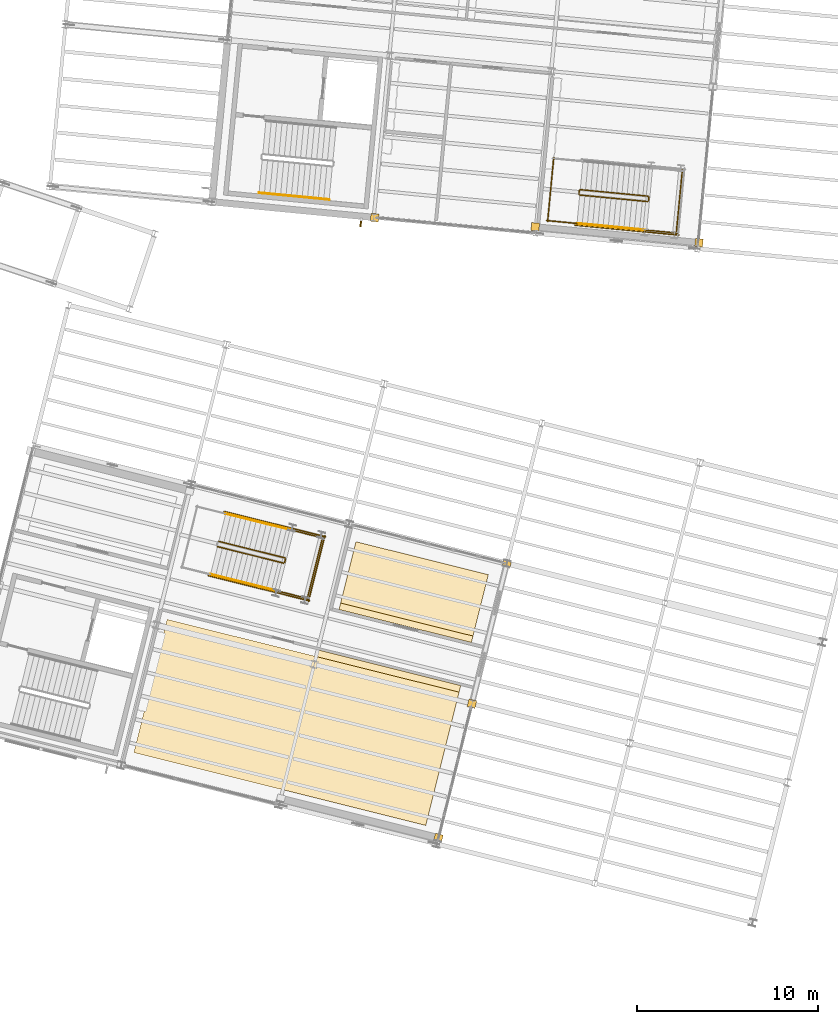
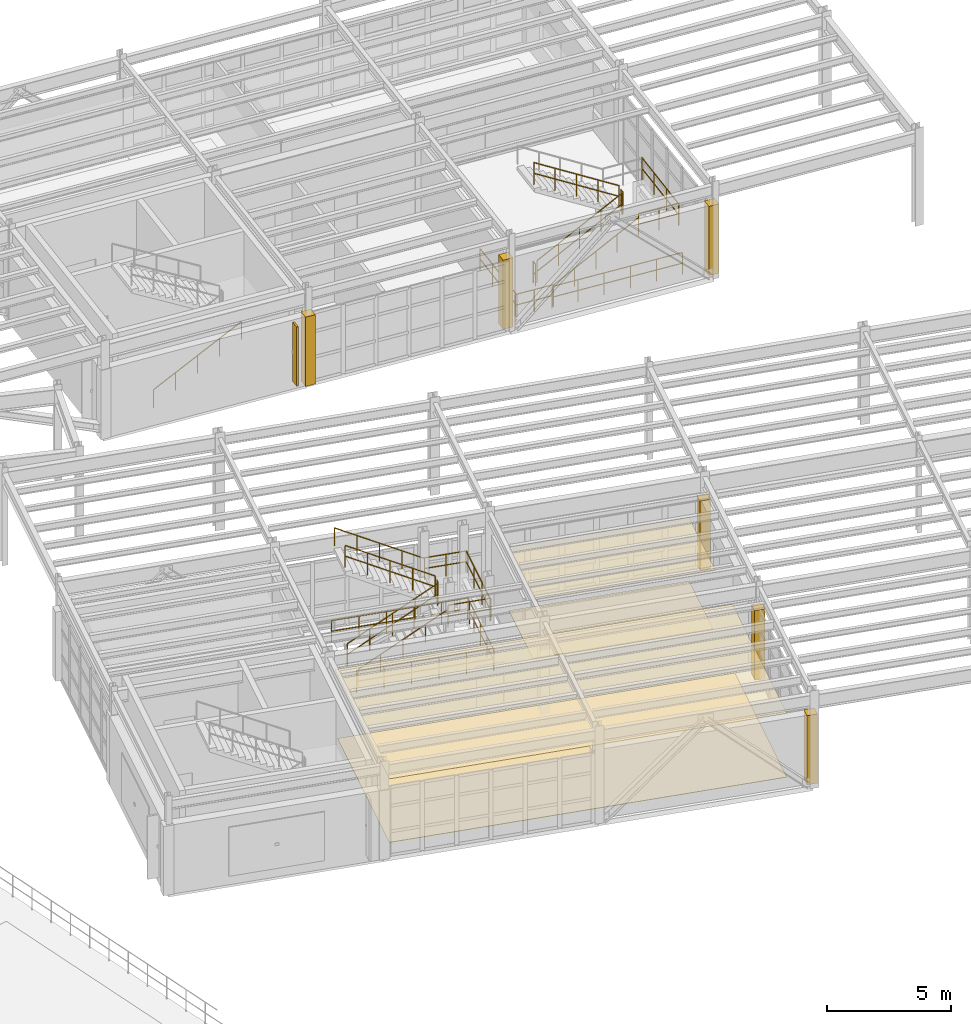
# One storey, part 104 of 109: 22 railings, 10 coverings, 1 shading device.
"""IFC4 building model written with IfcOpenShell, lengths in metres."""

from ifc_helpers import new_model, si_unit, direction, frame, origin, origin_2d, place, context, subcontext, project, spatial, polyline, rectangle, circle, outline, extrude, material, layer, layer_set, type_object, element, save


model = new_model("IFC4")

# Units and contexts
model_context = context("Model", 3, precision=1e-05, world=origin(), true_north=direction((0.0, 1.0)))
body_context = subcontext(model_context, "Body", "Model", "MODEL_VIEW")
ifc_project = project(units=[si_unit("LENGTHUNIT", "METRE"), si_unit("AREAUNIT", "SQUARE_METRE"), si_unit("VOLUMEUNIT", "CUBIC_METRE"), si_unit("PLANEANGLEUNIT", "RADIAN"), si_unit("MASSUNIT", "GRAM", prefix="KILO")], contexts=[model_context])

# Site, building, storey
site_placement = place(None, origin())
site = spatial("IfcSite", under=ifc_project, at=site_placement, CompositionType="ELEMENT")
building_placement = place(site_placement, origin())
building = spatial("IfcBuilding", under=site, at=building_placement, Name="Vireo Bluff Cable Station", CompositionType="ELEMENT")
storey_placement = place(building_placement, frame((0.0, 0.0, 4.800048828125)))
storey = spatial("IfcBuildingStorey", under=building, at=storey_placement, Name="L01", CompositionType="ELEMENT", Elevation=4.800048828125)

# Coverings
ifc_material_1 = material(Name="Perforated Acoustic Metal Ceiling")
ifc_layer_1 = layer(ifc_material_1, 0.02490234375, Name="Perforated Acoustic Metal Ceiling")
ifc_layer_set_1 = layer_set([ifc_layer_1], Name="Perforated Acoustic Metal Ceiling")
covering_type_1 = type_object("IfcCoveringType", Name="CEILING-ACOUSTIC-25", PredefinedType="CEILING", material=ifc_layer_set_1)
covering_1_placement = place(storey_placement, frame((0.0, 0.0, 3.119873046875)))
element("IfcCovering", 1, at=covering_1_placement, inside=storey, type_object=covering_type_1, Name="V1 L01 Mid-Slope Concourse Hall acoustic ceiling", PredefinedType="CEILING", context=body_context, shape_type="SweptSolid", body=[
    extrude(outline(polyline([(63.42333984375, 36.526611328125), (79.578857421875, 32.49853515625), (81.509521484375, 40.241455078125), (65.35400390625, 44.26953125), (63.42333984375, 36.526611328125)])), origin(), (0.0, 0.0, 1.0), 0.025146484375),
])
ifc_layer_2 = layer(ifc_material_1, 0.034912109375, Name="Perforated Acoustic Metal Ceiling")
ifc_layer_set_2 = layer_set([ifc_layer_2], Name="Perforated Acoustic Metal Ceiling")
covering_type_2 = type_object("IfcCoveringType", Name="CEILING-ACOUSTIC-35", PredefinedType="CEILING", material=ifc_layer_set_2)
covering_2_placement = place(storey_placement, frame((0.0, 0.0, 3.119873046875)))
element("IfcCovering", 2, at=covering_2_placement, inside=storey, type_object=covering_type_2, Name="V1 L01 Transit Ticketing Kiosk Hall acoustic ceiling", PredefinedType="CEILING", context=body_context, shape_type="SweptSolid", body=[
    extrude(outline(polyline([(74.777099609375, 44.447509765625), (82.102783203125, 42.62109375), (83.038330078125, 46.373779296875), (75.712646484375, 48.2001953125), (74.777099609375, 44.447509765625)])), origin(), (0.0, 0.0, 1.0), 0.03515625),
])
ifc_material_2 = material(Name="Precast concrete f'c 45 MPa", Category="concrete")
ifc_layer_3 = layer(ifc_material_2, 0.0400390625, Name="Precast concrete f'c 45 MPa")
ifc_layer_set_3 = layer_set([ifc_layer_3], Name="Precast concrete f'c 45 MPa")
covering_type_3 = type_object("IfcCoveringType", Name="COL-CLOSURE-WRAP", PredefinedType="CLADDING", material=ifc_layer_set_3)
for number, where, z_axis, x_axis, name in (
    (3, (80.2734375, 31.7998046875, 0.0), (0.0, 0.0, 1.0), (0.970295726276, -0.2419218956, 0.0), "V1 L01 column pocket closure"),
    (4, (84.068359375, 46.990966796875, 0.0), (0.0, 0.0, 1.0), (0.970295726276, -0.2419218956, 0.0), "V1 L01 column pocket closure"),
    (5, (82.13427734375, 39.23388671875, 0.0), (0.0, 0.0, 1.0), (0.970295726276, -0.2419218956, 0.0), "V1 L01 column pocket closure"),
    (6, (94.695556640625, 64.749755859375, 0.0), (0.0, 0.0, 1.0), (0.995396198367, -0.09584575252, 0.0), "V3 L01 column pocket closure"),
    (7, (85.636962890625, 65.6220703125, 0.0), (0.0, 0.0, 1.0), (0.995396198367, -0.09584575252, 0.0), "V3 L01 column pocket closure"),
    (8, (76.745849609375, 66.136474609375, 0.0), (0.0, 0.0, 1.0), (0.995396198367, -0.09584575252, 0.0), "V3 L01 column pocket closure"),
):
    element("IfcCovering", number, at=place(storey_placement, frame(where, z_axis=z_axis, x_axis=x_axis)), inside=storey, type_object=covering_type_3, Name=name, PredefinedType="CLADDING", context=body_context, shape_type="SweptSolid", body=[
        extrude(rectangle(XDim=0.43994140625, YDim=0.43994140625, at=origin_2d()), origin(), (0.0, 0.0, 1.0), 3.39990234375),
    ])
ifc_material_3 = material(Name="Polished Terrazzo Flooring")
ifc_layer_4 = layer(ifc_material_3, 0.02001953125, Name="Polished Terrazzo Flooring")
ifc_layer_set_4 = layer_set([ifc_layer_4], Name="Polished Terrazzo Flooring")
covering_type_4 = type_object("IfcCoveringType", Name="FLOORING-TERRAZZO-20", PredefinedType="FLOORING", material=ifc_layer_set_4)
covering_3_placement = place(storey_placement, origin())
element("IfcCovering", 9, at=covering_3_placement, inside=storey, type_object=covering_type_4, Name="V1 L01 Mid-Slope Concourse Hall terrazzo finish", PredefinedType="FLOORING", context=body_context, shape_type="SweptSolid", body=[
    extrude(outline(polyline([(63.42333984375, 36.526611328125), (79.578857421875, 32.49853515625), (81.41748046875, 39.872802734375), (65.261962890625, 43.900634765625), (63.42333984375, 36.526611328125)])), origin(), (0.0, 0.0, 1.0), 0.02001953125),
])
ifc_layer_5 = layer(ifc_material_3, 0.030029296875, Name="Polished Terrazzo Flooring")
ifc_layer_set_5 = layer_set([ifc_layer_5], Name="Polished Terrazzo Flooring")
covering_type_5 = type_object("IfcCoveringType", Name="FLOORING-TERRAZZO-30", PredefinedType="FLOORING", material=ifc_layer_set_5)
covering_4_placement = place(storey_placement, origin())
element("IfcCovering", 10, at=covering_4_placement, inside=storey, type_object=covering_type_5, Name="V1 L01 Transit Ticketing Kiosk Hall terrazzo finish", PredefinedType="FLOORING", context=body_context, shape_type="SweptSolid", body=[
    extrude(outline(polyline([(74.865966796875, 44.80419921875), (82.191650390625, 42.977783203125), (83.038330078125, 46.373779296875), (75.712646484375, 48.2001953125), (74.865966796875, 44.80419921875)])), origin(), (0.0, 0.0, 1.0), 0.030029296875),
])

# Shading device
ifc_material_4 = material(Name="Extruded Terracotta Solar Fin", Category="masonry")
shading_device_type = type_object("IfcShadingDeviceType", Name="SOLARFIN-400X2900", PredefinedType="SHUTTER", material=ifc_material_4)
shading_device_placement = place(storey_placement, frame((75.98291015625, 65.828125, 0.39990234375), z_axis=(0.0, 0.0, 1.0), x_axis=(-0.995396195058, 0.095845786884, 0.0)))
element("IfcShadingDevice", 11, at=shading_device_placement, inside=storey, type_object=shading_device_type, Name="V3 L01 solar brise-soleil fin 20", PredefinedType="SHUTTER", context=body_context, shape_type="SweptSolid", body=[
    extrude(rectangle(XDim=0.080078125, YDim=0.39990234375, at=origin_2d()), origin(), (0.0, 0.0, 1.0), 2.89990234375),
])

# Railings
ifc_material_5 = material(Name="Stainless Steel 316", Category="steel")
railing_type_1 = type_object("IfcRailingType", Name="STAIR-GUARD-1100", PredefinedType="GUARDRAIL", material=ifc_material_5)
railing_1_placement = place(storey_placement, frame((68.048583984375, 47.92626953125, 0.17138671875)))
element("IfcRailing", 12, at=railing_1_placement, inside=storey, type_object=railing_type_1, Name="L01 ST-10 stair guard 1", PredefinedType="GUARDRAIL", context=body_context, shape_type="SweptSolid", body=[
    extrude(circle(Radius=0.02392578125, at=origin_2d()), frame((0.0, 0.0, 1.076171875), z_axis=(0.835287278934, -0.208264366931, 0.50884291792), x_axis=(0.241926114739, 0.970294674317, 0.0)), (0.0, 0.0, 1.0), 4.379638671875),
    extrude(circle(Radius=0.02392578125, at=origin_2d()), frame((0.0, 0.0, 0.550048828125), z_axis=(0.835287278934, -0.208264366931, 0.50884291792), x_axis=(0.241926114739, 0.970294674317, 0.0)), (0.0, 0.0, 1.0), 4.379638671875),
    extrude(circle(Radius=0.02099609375, at=origin_2d()), origin(), (0.0, 0.0, 1.0), 1.052001953125),
    extrude(circle(Radius=0.02099609375, at=origin_2d()), frame((0.91455078125, -0.22802734375, 0.55712890625)), (0.0, 0.0, 1.0), 1.052001953125),
    extrude(circle(Radius=0.02099609375, at=origin_2d()), frame((1.8291015625, -0.4560546875, 1.1142578125)), (0.0, 0.0, 1.0), 1.052001953125),
    extrude(circle(Radius=0.02099609375, at=origin_2d()), frame((2.74365234375, -0.68408203125, 1.67138671875)), (0.0, 0.0, 1.0), 1.052001953125),
    extrude(circle(Radius=0.02099609375, at=origin_2d()), frame((3.658203125, -0.912109375, 2.228515625)), (0.0, 0.0, 1.0), 1.052001953125),
])
railing_2_placement = place(storey_placement, frame((71.767333984375, 47.050537109375, 2.39990234375)))
element("IfcRailing", 13, at=railing_2_placement, inside=storey, type_object=railing_type_1, Name="L01 ST-10 stair guard 2", PredefinedType="GUARDRAIL", context=body_context, shape_type="SweptSolid", body=[
    extrude(circle(Radius=0.02392578125, at=origin_2d()), frame((0.0, 0.0, 1.076171875), z_axis=(0.241673946692, 0.970357513234, 0.0), x_axis=(-0.970357513234, 0.241673946692, 0.0)), (0.0, 0.0, 1.0), 0.199951171875),
    extrude(circle(Radius=0.02392578125, at=origin_2d()), frame((0.0, 0.0, 0.550048828125), z_axis=(0.241673946692, 0.970357513234, 0.0), x_axis=(-0.970357513234, 0.241673946692, 0.0)), (0.0, 0.0, 1.0), 0.199951171875),
    extrude(circle(Radius=0.02099609375, at=origin_2d()), origin(), (0.0, 0.0, 1.0), 1.052001953125),
    extrude(circle(Radius=0.02099609375, at=origin_2d()), frame((0.04833984375, 0.194091796875, 0.0)), (0.0, 0.0, 1.0), 1.052001953125),
])
railing_3_placement = place(storey_placement, frame((71.324462890625, 45.48095703125, 2.39990234375)))
element("IfcRailing", 14, at=railing_3_placement, inside=storey, type_object=railing_type_1, Name="L01 ST-10 stair guard 3", PredefinedType="GUARDRAIL", context=body_context, shape_type="SweptSolid", body=[
    extrude(circle(Radius=0.02392578125, at=origin_2d()), frame((0.0, 0.0, 1.076171875), z_axis=(0.970317771018, -0.241833461801, 0.0), x_axis=(0.241833461801, 0.970317771018, 0.0)), (0.0, 0.0, 1.0), 1.800048828125),
    extrude(circle(Radius=0.02392578125, at=origin_2d()), frame((0.0, 0.0, 0.550048828125), z_axis=(0.970317771018, -0.241833461801, 0.0), x_axis=(0.241833461801, 0.970317771018, 0.0)), (0.0, 0.0, 1.0), 1.800048828125),
    extrude(circle(Radius=0.02099609375, at=origin_2d()), origin(), (0.0, 0.0, 1.0), 1.052001953125),
    extrude(circle(Radius=0.02099609375, at=origin_2d()), frame((0.873291015625, -0.2177734375, 0.0)), (0.0, 0.0, 1.0), 1.052001953125),
    extrude(circle(Radius=0.02099609375, at=origin_2d()), frame((1.74658203125, -0.435302734375, 0.0)), (0.0, 0.0, 1.0), 1.052001953125),
])
railing_4_placement = place(storey_placement, frame((72.161376953125, 48.83837890625, 2.39990234375)))
element("IfcRailing", 15, at=railing_4_placement, inside=storey, type_object=railing_type_1, Name="L01 ST-10 stair guard 4", PredefinedType="GUARDRAIL", context=body_context, shape_type="SweptSolid", body=[
    extrude(circle(Radius=0.02392578125, at=origin_2d()), frame((0.0, 0.0, 1.076171875), z_axis=(0.97028593668, -0.241961156142, 0.0), x_axis=(0.241961156142, 0.97028593668, 0.0)), (0.0, 0.0, 1.0), 1.800048828125),
    extrude(circle(Radius=0.02392578125, at=origin_2d()), frame((0.0, 0.0, 0.550048828125), z_axis=(0.97028593668, -0.241961156142, 0.0), x_axis=(0.241961156142, 0.97028593668, 0.0)), (0.0, 0.0, 1.0), 1.800048828125),
    extrude(circle(Radius=0.02099609375, at=origin_2d()), origin(), (0.0, 0.0, 1.0), 1.052001953125),
    extrude(circle(Radius=0.02099609375, at=origin_2d()), frame((0.873291015625, -0.2177734375, 0.0)), (0.0, 0.0, 1.0), 1.052001953125),
    extrude(circle(Radius=0.02099609375, at=origin_2d()), frame((1.74658203125, -0.435546875, 0.0)), (0.0, 0.0, 1.0), 1.052001953125),
])
railing_5_placement = place(storey_placement, frame((73.01025390625, 45.00927734375, 2.39990234375)))
element("IfcRailing", 16, at=railing_5_placement, inside=storey, type_object=railing_type_1, Name="L01 ST-10 stair guard 5", PredefinedType="GUARDRAIL", context=body_context, shape_type="SweptSolid", body=[
    extrude(circle(Radius=0.02392578125, at=origin_2d()), frame((0.0, 0.0, 1.076171875), z_axis=(0.241954658005, 0.970287557103, 0.0), x_axis=(-0.970287557103, 0.241954658005, 0.0)), (0.0, 0.0, 1.0), 3.559814453125),
    extrude(circle(Radius=0.02392578125, at=origin_2d()), frame((0.0, 0.0, 0.550048828125), z_axis=(0.241954658005, 0.970287557103, 0.0), x_axis=(-0.970287557103, 0.241954658005, 0.0)), (0.0, 0.0, 1.0), 3.559814453125),
    extrude(circle(Radius=0.02099609375, at=origin_2d()), origin(), (0.0, 0.0, 1.0), 1.052001953125),
    extrude(circle(Radius=0.02099609375, at=origin_2d()), frame((0.287109375, 1.1513671875, 0.0)), (0.0, 0.0, 1.0), 1.052001953125),
    extrude(circle(Radius=0.02099609375, at=origin_2d()), frame((0.57421875, 2.302734375, 0.0)), (0.0, 0.0, 1.0), 1.052001953125),
    extrude(circle(Radius=0.02099609375, at=origin_2d()), frame((0.861328125, 3.4541015625, 0.0)), (0.0, 0.0, 1.0), 1.052001953125),
])
railing_6_placement = place(storey_placement, frame((71.779296875, 47.30517578125, 2.5712890625)))
element("IfcRailing", 17, at=railing_6_placement, inside=storey, type_object=railing_type_1, Name="L01 ST-10 stair guard 6", PredefinedType="GUARDRAIL", context=body_context, shape_type="SweptSolid", body=[
    extrude(circle(Radius=0.02392578125, at=origin_2d()), frame((0.0, 0.0, 1.076171875), z_axis=(-0.835246730793, 0.208268156327, 0.508907922673), x_axis=(-0.241941316319, -0.97029088394, 0.0)), (0.0, 0.0, 1.0), 4.37939453125),
    extrude(circle(Radius=0.02392578125, at=origin_2d()), frame((0.0, 0.0, 0.550048828125), z_axis=(-0.835246730793, 0.208268156327, 0.508907922673), x_axis=(-0.241941316319, -0.97029088394, 0.0)), (0.0, 0.0, 1.0), 4.37939453125),
    extrude(circle(Radius=0.02099609375, at=origin_2d()), origin(), (0.0, 0.0, 1.0), 1.052001953125),
    extrude(circle(Radius=0.02099609375, at=origin_2d()), frame((-0.91455078125, 0.22802734375, 0.55712890625)), (0.0, 0.0, 1.0), 1.052001953125),
    extrude(circle(Radius=0.02099609375, at=origin_2d()), frame((-1.8291015625, 0.4560546875, 1.1142578125)), (0.0, 0.0, 1.0), 1.052001953125),
    extrude(circle(Radius=0.02099609375, at=origin_2d()), frame((-2.743408203125, 0.68408203125, 1.671630859375)), (0.0, 0.0, 1.0), 1.052001953125),
    extrude(circle(Radius=0.02099609375, at=origin_2d()), frame((-3.657958984375, 0.912109375, 2.228759765625)), (0.0, 0.0, 1.0), 1.052001953125),
])
for number, where, name in (
    (18, (67.545166015625, 46.3203125, 0.0), "L01 ST-10 stair guard 11"),
    (19, (68.4306640625, 49.87158203125, 0.0), "L01 ST-10 stair guard 12"),
):
    element("IfcRailing", number, at=place(storey_placement, frame(where)), inside=storey, type_object=railing_type_1, Name=name, PredefinedType="GUARDRAIL", context=body_context, shape_type="SweptSolid", body=[
        extrude(circle(Radius=0.02392578125, at=origin_2d()), frame((0.0, 0.0, 1.076171875), z_axis=(0.970291651619, -0.24193823757, 0.0), x_axis=(0.24193823757, 0.970291651619, 0.0)), (0.0, 0.0, 1.0), 5.77001953125),
        extrude(circle(Radius=0.02392578125, at=origin_2d()), frame((0.0, 0.0, 0.550048828125), z_axis=(0.970291651619, -0.24193823757, 0.0), x_axis=(0.24193823757, 0.970291651619, 0.0)), (0.0, 0.0, 1.0), 5.77001953125),
        extrude(circle(Radius=0.02099609375, at=origin_2d()), origin(), (0.0, 0.0, 1.0), 1.052001953125),
        extrude(circle(Radius=0.02099609375, at=origin_2d()), frame((1.11962890625, -0.279296875, 0.0)), (0.0, 0.0, 1.0), 1.052001953125),
        extrude(circle(Radius=0.02099609375, at=origin_2d()), frame((2.239501953125, -0.558349609375, 0.0)), (0.0, 0.0, 1.0), 1.052001953125),
        extrude(circle(Radius=0.02099609375, at=origin_2d()), frame((3.359130859375, -0.837646484375, 0.0)), (0.0, 0.0, 1.0), 1.052001953125),
        extrude(circle(Radius=0.02099609375, at=origin_2d()), frame((4.47900390625, -1.11669921875, 0.0)), (0.0, 0.0, 1.0), 1.052001953125),
        extrude(circle(Radius=0.02099609375, at=origin_2d()), frame((5.5986328125, -1.39599609375, 0.0)), (0.0, 0.0, 1.0), 1.052001953125),
    ])
railing_7_placement = place(storey_placement, frame((73.083251953125, 44.887939453125, 0.0)))
element("IfcRailing", 20, at=railing_7_placement, inside=storey, type_object=railing_type_1, Name="L01 ST-10 stair guard 13", PredefinedType="GUARDRAIL", context=body_context, shape_type="SweptSolid", body=[
    extrude(circle(Radius=0.02392578125, at=origin_2d()), frame((0.0, 0.0, 1.076171875), z_axis=(0.241924482903, 0.970295081185, 0.0), x_axis=(-0.970295081185, 0.241924482903, 0.0)), (0.0, 0.0, 1.0), 3.76025390625),
    extrude(circle(Radius=0.02392578125, at=origin_2d()), frame((0.0, 0.0, 0.550048828125), z_axis=(0.241924482903, 0.970295081185, 0.0), x_axis=(-0.970295081185, 0.241924482903, 0.0)), (0.0, 0.0, 1.0), 3.76025390625),
    extrude(circle(Radius=0.02099609375, at=origin_2d()), origin(), (0.0, 0.0, 1.0), 1.052001953125),
    extrude(circle(Radius=0.02099609375, at=origin_2d()), frame((0.2275390625, 0.912109375, 0.0)), (0.0, 0.0, 1.0), 1.052001953125),
    extrude(circle(Radius=0.02099609375, at=origin_2d()), frame((0.454833984375, 1.82421875, 0.0)), (0.0, 0.0, 1.0), 1.052001953125),
    extrude(circle(Radius=0.02099609375, at=origin_2d()), frame((0.68212890625, 2.736328125, 0.0)), (0.0, 0.0, 1.0), 1.052001953125),
    extrude(circle(Radius=0.02099609375, at=origin_2d()), frame((0.90966796875, 3.6484375, 0.0)), (0.0, 0.0, 1.0), 1.052001953125),
])
railing_8_placement = place(storey_placement, frame((88.098388671875, 67.38427734375, 0.17138671875)))
element("IfcRailing", 21, at=railing_8_placement, inside=storey, type_object=railing_type_1, Name="L01 ST-11 stair guard 1", PredefinedType="GUARDRAIL", context=body_context, shape_type="SweptSolid", body=[
    extrude(circle(Radius=0.02392578125, at=origin_2d()), frame((0.0, 0.0, 1.076171875), z_axis=(0.856872396868, -0.082509508612, 0.50888296933), x_axis=(0.095848147835, 0.995395967722, 0.0)), (0.0, 0.0, 1.0), 4.379150390625),
    extrude(circle(Radius=0.02392578125, at=origin_2d()), frame((0.0, 0.0, 0.550048828125), z_axis=(0.856872396868, -0.082509508612, 0.50888296933), x_axis=(0.095848147835, 0.995395967722, 0.0)), (0.0, 0.0, 1.0), 4.379150390625),
    extrude(circle(Radius=0.02099609375, at=origin_2d()), origin(), (0.0, 0.0, 1.0), 1.052001953125),
    extrude(circle(Radius=0.02099609375, at=origin_2d()), frame((0.93798828125, -0.09033203125, 0.55712890625)), (0.0, 0.0, 1.0), 1.052001953125),
    extrude(circle(Radius=0.02099609375, at=origin_2d()), frame((1.876220703125, -0.1806640625, 1.1142578125)), (0.0, 0.0, 1.0), 1.052001953125),
    extrude(circle(Radius=0.02099609375, at=origin_2d()), frame((2.814453125, -0.27099609375, 1.67138671875)), (0.0, 0.0, 1.0), 1.052001953125),
    extrude(circle(Radius=0.02099609375, at=origin_2d()), frame((3.75244140625, -0.361328125, 2.228515625)), (0.0, 0.0, 1.0), 1.052001953125),
])
railing_9_placement = place(storey_placement, frame((91.905517578125, 67.06787109375, 2.39990234375)))
element("IfcRailing", 22, at=railing_9_placement, inside=storey, type_object=railing_type_1, Name="L01 ST-11 stair guard 2", PredefinedType="GUARDRAIL", context=body_context, shape_type="SweptSolid", body=[
    extrude(circle(Radius=0.02392578125, at=origin_2d()), frame((0.0, 0.0, 1.076171875), z_axis=(0.095270200107, 0.995451449832, 0.0), x_axis=(-0.995451449832, 0.095270200107, 0.0)), (0.0, 0.0, 1.0), 0.199951171875),
    extrude(circle(Radius=0.02392578125, at=origin_2d()), frame((0.0, 0.0, 0.550048828125), z_axis=(0.095270200107, 0.995451449832, 0.0), x_axis=(-0.995451449832, 0.095270200107, 0.0)), (0.0, 0.0, 1.0), 0.199951171875),
    extrude(circle(Radius=0.02099609375, at=origin_2d()), origin(), (0.0, 0.0, 1.0), 1.052001953125),
    extrude(circle(Radius=0.02099609375, at=origin_2d()), frame((0.01904296875, 0.198974609375, 0.0)), (0.0, 0.0, 1.0), 1.052001953125),
])
railing_10_placement = place(storey_placement, frame((91.699462890625, 65.4501953125, 2.39990234375)))
element("IfcRailing", 23, at=railing_10_placement, inside=storey, type_object=railing_type_1, Name="L01 ST-11 stair guard 3", PredefinedType="GUARDRAIL", context=body_context, shape_type="SweptSolid", body=[
    extrude(circle(Radius=0.02392578125, at=origin_2d()), frame((0.0, 0.0, 1.076171875), z_axis=(0.995391866735, -0.09589072759, 0.0), x_axis=(0.09589072759, 0.995391866735, 0.0)), (0.0, 0.0, 1.0), 1.800048828125),
    extrude(circle(Radius=0.02392578125, at=origin_2d()), frame((0.0, 0.0, 0.550048828125), z_axis=(0.995391866735, -0.09589072759, 0.0), x_axis=(0.09589072759, 0.995391866735, 0.0)), (0.0, 0.0, 1.0), 1.800048828125),
    extrude(circle(Radius=0.02099609375, at=origin_2d()), origin(), (0.0, 0.0, 1.0), 1.052001953125),
    extrude(circle(Radius=0.02099609375, at=origin_2d()), frame((0.89599609375, -0.08642578125, 0.0)), (0.0, 0.0, 1.0), 1.052001953125),
    extrude(circle(Radius=0.02099609375, at=origin_2d()), frame((1.791748046875, -0.172607421875, 0.0)), (0.0, 0.0, 1.0), 1.052001953125),
])
railing_11_placement = place(storey_placement, frame((93.4365234375, 65.232666015625, 2.39990234375)))
element("IfcRailing", 24, at=railing_11_placement, inside=storey, type_object=railing_type_1, Name="L01 ST-11 stair guard 5", PredefinedType="GUARDRAIL", context=body_context, shape_type="SweptSolid", body=[
    extrude(circle(Radius=0.02392578125, at=origin_2d()), frame((0.0, 0.0, 1.076171875), z_axis=(0.095877061462, 0.995393183162, 0.0), x_axis=(-0.995393183162, 0.095877061462, 0.0)), (0.0, 0.0, 1.0), 3.559814453125),
    extrude(circle(Radius=0.02392578125, at=origin_2d()), frame((0.0, 0.0, 0.550048828125), z_axis=(0.095877061462, 0.995393183162, 0.0), x_axis=(-0.995393183162, 0.095877061462, 0.0)), (0.0, 0.0, 1.0), 3.559814453125),
    extrude(circle(Radius=0.02099609375, at=origin_2d()), origin(), (0.0, 0.0, 1.0), 1.052001953125),
    extrude(circle(Radius=0.02099609375, at=origin_2d()), frame((0.11376953125, 1.18115234375, 0.0)), (0.0, 0.0, 1.0), 1.052001953125),
    extrude(circle(Radius=0.02099609375, at=origin_2d()), frame((0.2275390625, 2.3623046875, 0.0)), (0.0, 0.0, 1.0), 1.052001953125),
    extrude(circle(Radius=0.02099609375, at=origin_2d()), frame((0.34130859375, 3.54345703125, 0.0)), (0.0, 0.0, 1.0), 1.052001953125),
])
railing_12_placement = place(storey_placement, frame((91.879638671875, 67.321533203125, 2.5712890625)))
element("IfcRailing", 25, at=railing_12_placement, inside=storey, type_object=railing_type_1, Name="L01 ST-11 stair guard 6", PredefinedType="GUARDRAIL", context=body_context, shape_type="SweptSolid", body=[
    extrude(circle(Radius=0.02392578125, at=origin_2d()), frame((0.0, 0.0, 1.076171875), z_axis=(-0.856862904465, 0.082503226765, 0.50889997104), x_axis=(-0.095841969468, -0.995396562626, 0.0)), (0.0, 0.0, 1.0), 4.379638671875),
    extrude(circle(Radius=0.02392578125, at=origin_2d()), frame((0.0, 0.0, 0.550048828125), z_axis=(-0.856862904465, 0.082503226765, 0.50889997104), x_axis=(-0.095841969468, -0.995396562626, 0.0)), (0.0, 0.0, 1.0), 4.379638671875),
    extrude(circle(Radius=0.02099609375, at=origin_2d()), origin(), (0.0, 0.0, 1.0), 1.052001953125),
    extrude(circle(Radius=0.02099609375, at=origin_2d()), frame((-0.938232421875, 0.09033203125, 0.55712890625)), (0.0, 0.0, 1.0), 1.052001953125),
    extrude(circle(Radius=0.02099609375, at=origin_2d()), frame((-1.87646484375, 0.1806640625, 1.1142578125)), (0.0, 0.0, 1.0), 1.052001953125),
    extrude(circle(Radius=0.02099609375, at=origin_2d()), frame((-2.814453125, 0.27099609375, 1.671630859375)), (0.0, 0.0, 1.0), 1.052001953125),
    extrude(circle(Radius=0.02099609375, at=origin_2d()), frame((-3.752685546875, 0.361328125, 2.228759765625)), (0.0, 0.0, 1.0), 1.052001953125),
])
railing_13_placement = place(storey_placement, frame((88.05322265625, 67.438720703125, 0.0)))
element("IfcRailing", 26, at=railing_13_placement, inside=storey, type_object=railing_type_1, Name="L01 ST-11 stair guard 7", PredefinedType="GUARDRAIL", context=body_context, shape_type="SweptSolid", body=[
    extrude(circle(Radius=0.02392578125, at=origin_2d()), frame((0.0, 0.0, 1.076171875), z_axis=(0.096363177672, 0.995346240255, 0.0), x_axis=(-0.995346240255, 0.096363177672, 0.0)), (0.0, 0.0, 1.0), 0.2001953125),
    extrude(circle(Radius=0.02392578125, at=origin_2d()), frame((0.0, 0.0, 0.550048828125), z_axis=(0.096363177672, 0.995346240255, 0.0), x_axis=(-0.995346240255, 0.096363177672, 0.0)), (0.0, 0.0, 1.0), 0.2001953125),
    extrude(circle(Radius=0.02099609375, at=origin_2d()), origin(), (0.0, 0.0, 1.0), 1.052001953125),
    extrude(circle(Radius=0.02099609375, at=origin_2d()), frame((0.019287109375, 0.19921875, 0.0)), (0.0, 0.0, 1.0), 1.052001953125),
])
railing_14_placement = place(storey_placement, frame((86.274658203125, 65.972412109375, 0.0)))
element("IfcRailing", 27, at=railing_14_placement, inside=storey, type_object=railing_type_1, Name="L01 ST-11 stair guard 8", PredefinedType="GUARDRAIL", context=body_context, shape_type="SweptSolid", body=[
    extrude(circle(Radius=0.02392578125, at=origin_2d()), frame((0.0, 0.0, 1.076171875), z_axis=(0.995402902627, -0.095776100574, 0.0), x_axis=(0.095776100574, 0.995402902627, 0.0)), (0.0, 0.0, 1.0), 1.679931640625),
    extrude(circle(Radius=0.02392578125, at=origin_2d()), frame((0.0, 0.0, 0.550048828125), z_axis=(0.995402902627, -0.095776100574, 0.0), x_axis=(0.095776100574, 0.995402902627, 0.0)), (0.0, 0.0, 1.0), 1.679931640625),
    extrude(circle(Radius=0.02099609375, at=origin_2d()), origin(), (0.0, 0.0, 1.0), 1.052001953125),
    extrude(circle(Radius=0.02099609375, at=origin_2d()), frame((0.8359375, -0.08056640625, 0.0)), (0.0, 0.0, 1.0), 1.052001953125),
    extrude(circle(Radius=0.02099609375, at=origin_2d()), frame((1.672119140625, -0.160888671875, 0.0)), (0.0, 0.0, 1.0), 1.052001953125),
])
railing_15_placement = place(storey_placement, frame((86.319580078125, 65.91796875, 0.0)))
element("IfcRailing", 28, at=railing_15_placement, inside=storey, type_object=railing_type_1, Name="L01 ST-11 stair guard 10", PredefinedType="GUARDRAIL", context=body_context, shape_type="SweptSolid", body=[
    extrude(circle(Radius=0.02392578125, at=origin_2d()), frame((0.0, 0.0, 1.076171875), z_axis=(0.095809109633, 0.995399725995, 0.0), x_axis=(-0.995399725995, 0.095809109633, 0.0)), (0.0, 0.0, 1.0), 3.559814453125),
    extrude(circle(Radius=0.02392578125, at=origin_2d()), frame((0.0, 0.0, 0.550048828125), z_axis=(0.095809109633, 0.995399725995, 0.0), x_axis=(-0.995399725995, 0.095809109633, 0.0)), (0.0, 0.0, 1.0), 3.559814453125),
    extrude(circle(Radius=0.02099609375, at=origin_2d()), origin(), (0.0, 0.0, 1.0), 1.052001953125),
    extrude(circle(Radius=0.02099609375, at=origin_2d()), frame((0.11376953125, 1.18115234375, 0.0)), (0.0, 0.0, 1.0), 1.052001953125),
    extrude(circle(Radius=0.02099609375, at=origin_2d()), frame((0.227294921875, 2.3623046875, 0.0)), (0.0, 0.0, 1.0), 1.052001953125),
    extrude(circle(Radius=0.02099609375, at=origin_2d()), frame((0.341064453125, 3.54345703125, 0.0)), (0.0, 0.0, 1.0), 1.052001953125),
])
railing_16_placement = place(storey_placement, frame((87.837646484375, 65.721435546875, 0.0)))
element("IfcRailing", 29, at=railing_16_placement, inside=storey, type_object=railing_type_1, Name="L01 ST-11 stair guard 11", PredefinedType="GUARDRAIL", context=body_context, shape_type="SweptSolid", body=[
    extrude(circle(Radius=0.02392578125, at=origin_2d()), frame((0.0, 0.0, 1.076171875), z_axis=(0.995397005119, -0.095837373713, 0.0), x_axis=(0.095837373713, 0.995397005119, 0.0)), (0.0, 0.0, 1.0), 5.77001953125),
    extrude(circle(Radius=0.02392578125, at=origin_2d()), frame((0.0, 0.0, 0.550048828125), z_axis=(0.995397005119, -0.095837373713, 0.0), x_axis=(0.095837373713, 0.995397005119, 0.0)), (0.0, 0.0, 1.0), 5.77001953125),
    extrude(circle(Radius=0.02099609375, at=origin_2d()), origin(), (0.0, 0.0, 1.0), 1.052001953125),
    extrude(circle(Radius=0.02099609375, at=origin_2d()), frame((1.148681640625, -0.110595703125, 0.0)), (0.0, 0.0, 1.0), 1.052001953125),
    extrude(circle(Radius=0.02099609375, at=origin_2d()), frame((2.29736328125, -0.22119140625, 0.0)), (0.0, 0.0, 1.0), 1.052001953125),
    extrude(circle(Radius=0.02099609375, at=origin_2d()), frame((3.446044921875, -0.331787109375, 0.0)), (0.0, 0.0, 1.0), 1.052001953125),
    extrude(circle(Radius=0.02099609375, at=origin_2d()), frame((4.5947265625, -0.4423828125, 0.0)), (0.0, 0.0, 1.0), 1.052001953125),
    extrude(circle(Radius=0.02099609375, at=origin_2d()), frame((5.743408203125, -0.552978515625, 0.0)), (0.0, 0.0, 1.0), 1.052001953125),
])
railing_type_2 = type_object("IfcRailingType", Name="STAIR-HANDRAIL-900", PredefinedType="HANDRAIL", material=ifc_material_5)
railing_17_placement = place(storey_placement, frame((70.34814453125, 67.506103515625, 0.17138671875)))
element("IfcRailing", 30, at=railing_17_placement, inside=storey, type_object=railing_type_2, Name="L01 ST-01 stair handrail 1", PredefinedType="HANDRAIL", context=body_context, shape_type="SweptSolid", body=[
    extrude(circle(Radius=0.02392578125, at=origin_2d()), frame((0.0, 0.0, 0.8759765625), z_axis=(0.864253522803, -0.083213140269, 0.496126416964), x_axis=(0.095840036621, 0.995396748729, 0.0)), (0.0, 0.0, 1.0), 4.491943359375),
    extrude(circle(Radius=0.02099609375, at=origin_2d()), origin(), (0.0, 0.0, 1.0), 0.851806640625),
    extrude(circle(Radius=0.02099609375, at=origin_2d()), frame((0.970458984375, -0.093505859375, 0.55712890625)), (0.0, 0.0, 1.0), 0.851806640625),
    extrude(circle(Radius=0.02099609375, at=origin_2d()), frame((1.94091796875, -0.18701171875, 1.1142578125)), (0.0, 0.0, 1.0), 0.851806640625),
    extrude(circle(Radius=0.02099609375, at=origin_2d()), frame((2.91162109375, -0.2802734375, 1.67138671875)), (0.0, 0.0, 1.0), 0.851806640625),
    extrude(circle(Radius=0.02099609375, at=origin_2d()), frame((3.882080078125, -0.373779296875, 2.228515625)), (0.0, 0.0, 1.0), 0.851806640625),
])
railing_18_placement = place(storey_placement, frame((67.66650390625, 46.39306640625, 0.17138671875)))
element("IfcRailing", 31, at=railing_18_placement, inside=storey, type_object=railing_type_2, Name="L01 ST-10 stair handrail 1", PredefinedType="HANDRAIL", context=body_context, shape_type="SweptSolid", body=[
    extrude(circle(Radius=0.02392578125, at=origin_2d()), frame((0.0, 0.0, 0.8759765625), z_axis=(0.835270426229, -0.208274064766, 0.508866612202), x_axis=(0.241941316319, 0.97029088394, 0.0)), (0.0, 0.0, 1.0), 4.37939453125),
    extrude(circle(Radius=0.02099609375, at=origin_2d()), origin(), (0.0, 0.0, 1.0), 0.851806640625),
    extrude(circle(Radius=0.02099609375, at=origin_2d()), frame((0.91455078125, -0.22802734375, 0.55712890625)), (0.0, 0.0, 1.0), 0.851806640625),
    extrude(circle(Radius=0.02099609375, at=origin_2d()), frame((1.8291015625, -0.4560546875, 1.1142578125)), (0.0, 0.0, 1.0), 0.851806640625),
    extrude(circle(Radius=0.02099609375, at=origin_2d()), frame((2.743408203125, -0.68408203125, 1.67138671875)), (0.0, 0.0, 1.0), 0.851806640625),
    extrude(circle(Radius=0.02099609375, at=origin_2d()), frame((3.657958984375, -0.912109375, 2.228515625)), (0.0, 0.0, 1.0), 0.851806640625),
])
railing_19_placement = place(storey_placement, frame((72.161376953125, 48.83837890625, 2.5712890625)))
element("IfcRailing", 32, at=railing_19_placement, inside=storey, type_object=railing_type_2, Name="L01 ST-10 stair handrail 2", PredefinedType="HANDRAIL", context=body_context, shape_type="SweptSolid", body=[
    extrude(circle(Radius=0.02392578125, at=origin_2d()), frame((0.0, 0.0, 0.8759765625), z_axis=(-0.835256427027, 0.208214827134, 0.508913830497), x_axis=(-0.241880346166, -0.970306084768, 0.0)), (0.0, 0.0, 1.0), 4.37939453125),
    extrude(circle(Radius=0.02099609375, at=origin_2d()), origin(), (0.0, 0.0, 1.0), 0.851806640625),
    extrude(circle(Radius=0.02099609375, at=origin_2d()), frame((-0.91455078125, 0.22802734375, 0.55712890625)), (0.0, 0.0, 1.0), 0.851806640625),
    extrude(circle(Radius=0.02099609375, at=origin_2d()), frame((-1.8291015625, 0.4560546875, 1.1142578125)), (0.0, 0.0, 1.0), 0.851806640625),
    extrude(circle(Radius=0.02099609375, at=origin_2d()), frame((-2.743408203125, 0.683837890625, 1.671630859375)), (0.0, 0.0, 1.0), 0.851806640625),
    extrude(circle(Radius=0.02099609375, at=origin_2d()), frame((-3.657958984375, 0.911865234375, 2.228759765625)), (0.0, 0.0, 1.0), 0.851806640625),
])
railing_20_placement = place(storey_placement, frame((87.94677734375, 65.8115234375, 0.17138671875)))
element("IfcRailing", 33, at=railing_20_placement, inside=storey, type_object=railing_type_2, Name="L01 ST-11 stair handrail 1", PredefinedType="HANDRAIL", context=body_context, shape_type="SweptSolid", body=[
    extrude(circle(Radius=0.02392578125, at=origin_2d()), frame((0.0, 0.0, 0.8759765625), z_axis=(0.856887212378, -0.082505567258, 0.508858660763), x_axis=(0.095841969468, 0.995396562626, 0.0)), (0.0, 0.0, 1.0), 4.37939453125),
    extrude(circle(Radius=0.02099609375, at=origin_2d()), origin(), (0.0, 0.0, 1.0), 0.851806640625),
    extrude(circle(Radius=0.02099609375, at=origin_2d()), frame((0.938232421875, -0.09033203125, 0.55712890625)), (0.0, 0.0, 1.0), 0.851806640625),
    extrude(circle(Radius=0.02099609375, at=origin_2d()), frame((1.87646484375, -0.1806640625, 1.1142578125)), (0.0, 0.0, 1.0), 0.851806640625),
    extrude(circle(Radius=0.02099609375, at=origin_2d()), frame((2.814453125, -0.27099609375, 1.67138671875)), (0.0, 0.0, 1.0), 0.851806640625),
    extrude(circle(Radius=0.02099609375, at=origin_2d()), frame((3.752685546875, -0.361328125, 2.228515625)), (0.0, 0.0, 1.0), 0.851806640625),
])

save(model, "model.ifc")
